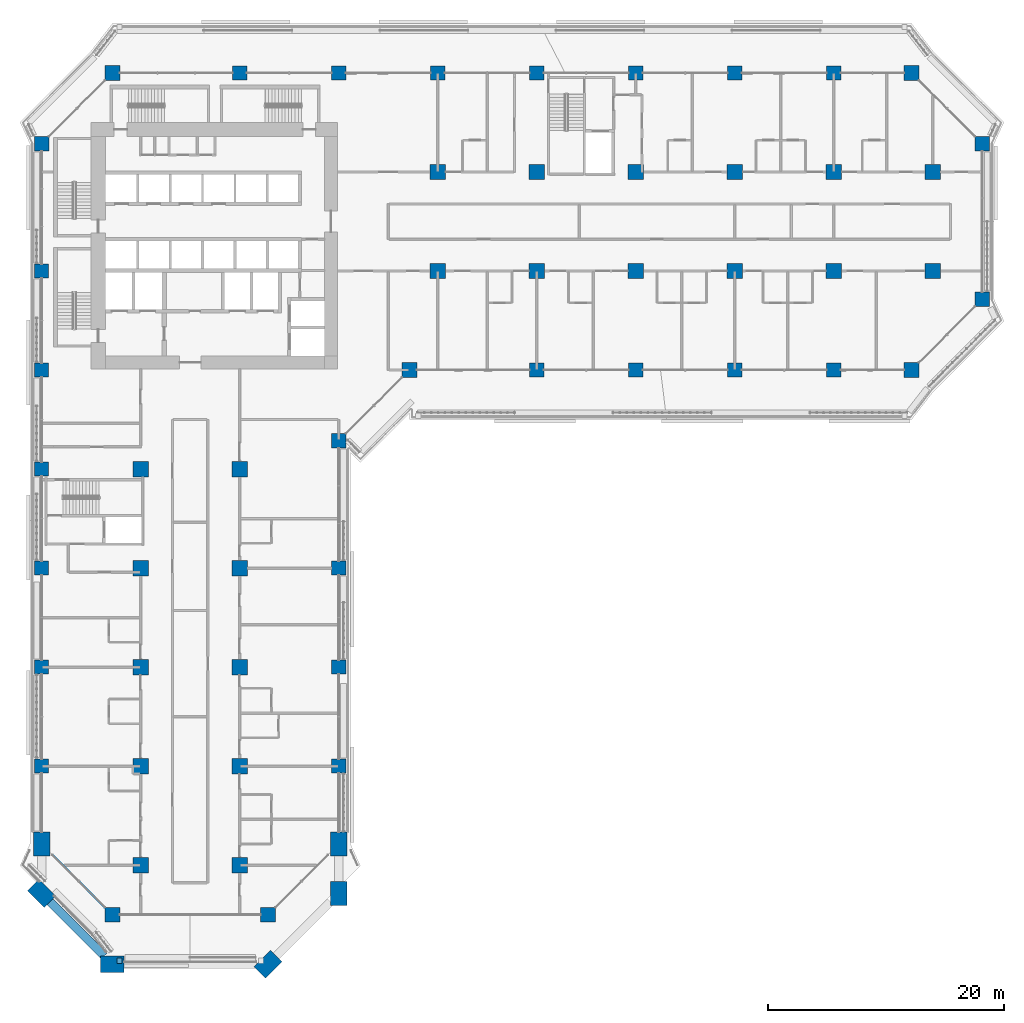
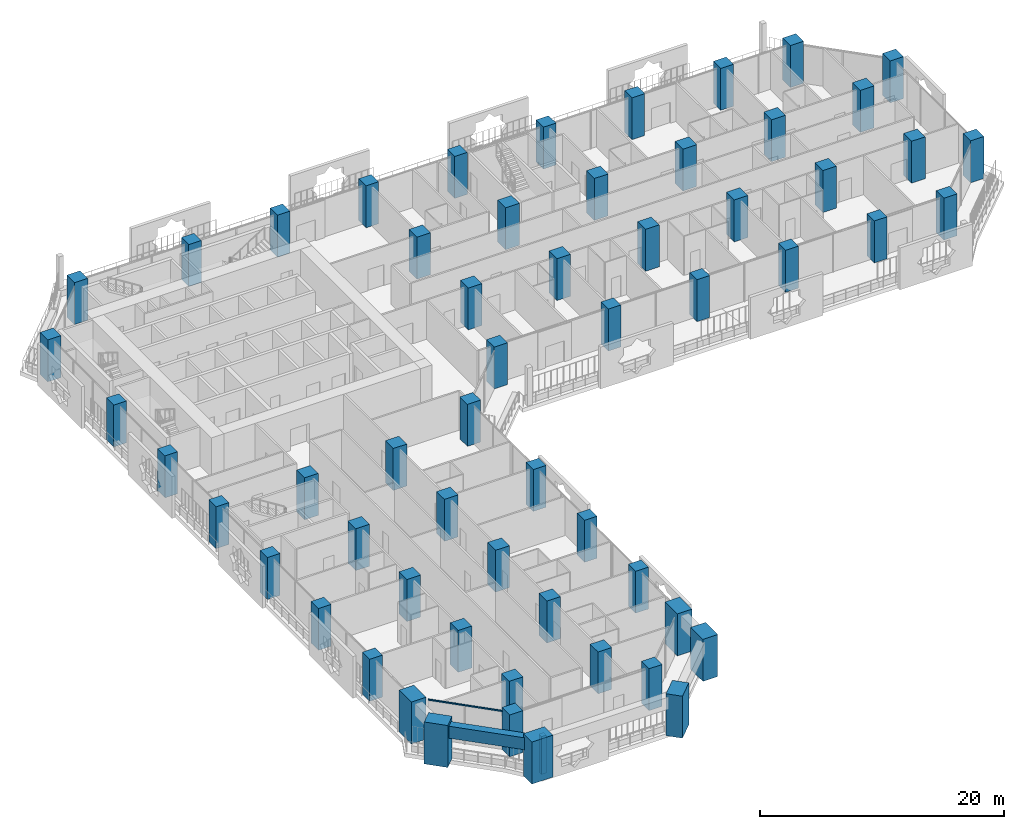
# One storey, part 1 of 28: 58 columns, 2 members, 1 beam, 2 elements without a shape of their own.
"""IFC4 building model written with IfcOpenShell, lengths in metres."""

from ifc_helpers import new_model, si_unit, direction, frame, origin, origin_2d, place, context, subcontext, project, spatial, rectangle, extrude, material, layer, layer_set, material_profile, profile_set, type_object, element, aggregate, save


model = new_model("IFC4")

# Units and contexts
model_context = context("Model", 3, precision=1e-05, world=origin(), true_north=direction((0.0, 1.0)))
body_context = subcontext(model_context, "Body", "Model", "MODEL_VIEW")
ifc_project = project(units=[si_unit("LENGTHUNIT", "METRE"), si_unit("AREAUNIT", "SQUARE_METRE"), si_unit("VOLUMEUNIT", "CUBIC_METRE"), si_unit("PLANEANGLEUNIT", "RADIAN"), si_unit("MASSUNIT", "GRAM", prefix="KILO")], contexts=[model_context])

# Site, building, storey
site_placement = place(None, origin())
site = spatial("IfcSite", under=ifc_project, at=site_placement, CompositionType="ELEMENT")
building_placement = place(site_placement, origin())
building = spatial("IfcBuilding", under=site, at=building_placement, Name="Kawkab Arch Medical Tower", CompositionType="ELEMENT")
storey_placement = place(building_placement, frame((0.0, 0.0, 56.0)))
storey = spatial("IfcBuildingStorey", under=building, at=storey_placement, Name="L12", CompositionType="ELEMENT", Elevation=56.0)

# Columns
ifc_material_1 = material(Name="Concrete C60/75", Category="concrete")
ifc_material_profile_1 = material_profile(ifc_material_1, rectangle(XDim=1.199951171875, YDim=1.199951171875, at=origin_2d()), Name="RC 1200x1200")
ifc_profile_set_1 = profile_set([ifc_material_profile_1], Name="Concrete C60/75")
column_type_1 = type_object("IfcColumnType", Name="RC 1200x1200 column C60/75", PredefinedType="COLUMN", material=ifc_profile_set_1)
for number, where, z_axis, x_axis, name in (
    (1, (16.800048828125, 0.0, 0.0), (0.0, 0.0, 1.0), (1.0, 0.0, 0.0), "Column RC 1200x1200"),
    (2, (25.199951171875, 0.0, 0.0), (0.0, 0.0, 1.0), (1.0, 0.0, 0.0), "Column RC 1200x1200"),
    (3, (33.60009765625, 0.0, 0.0), (0.0, 0.0, 1.0), (1.0, 0.0, 0.0), "Column RC 1200x1200"),
    (4, (42.0, 0.0, 0.0), (0.0, 0.0, 1.0), (1.0, 0.0, 0.0), "Column RC 1200x1200"),
    (5, (50.39990234375, 0.0, 0.0), (0.0, 0.0, 1.0), (1.0, 0.0, 0.0), "Column RC 1200x1200"),
    (6, (58.800048828125, 0.0, 0.0), (0.0, 0.0, 1.0), (1.0, 0.0, 0.0), "Column RC 1200x1200"),
    (7, (67.199951171875, 0.0, 0.0), (0.0, 0.0, 1.0), (1.0, 0.0, 0.0), "Column RC 1200x1200"),
    (8, (0.0, -16.800048828125, 0.0), (0.0, 0.0, 1.0), (1.0, 0.0, 0.0), "Column RC 1200x1200"),
    (9, (0.0, -25.199951171875, 0.0), (0.0, 0.0, 1.0), (1.0, 0.0, 0.0), "Column RC 1200x1200"),
    (10, (42.0, -25.199951171875, 0.0), (0.0, 0.0, 1.0), (1.0, 0.0, 0.0), "Column RC 1200x1200"),
    (11, (50.39990234375, -25.199951171875, 0.0), (0.0, 0.0, 1.0), (1.0, 0.0, 0.0), "Column RC 1200x1200"),
    (12, (58.800048828125, -25.199951171875, 0.0), (0.0, 0.0, 1.0), (1.0, 0.0, 0.0), "Column RC 1200x1200"),
    (13, (67.199951171875, -25.199951171875, 0.0), (0.0, 0.0, 1.0), (1.0, 0.0, 0.0), "Column RC 1200x1200"),
    (14, (0.0, -33.60009765625, 0.0), (0.0, 0.0, 1.0), (1.0, 0.0, 0.0), "Column RC 1200x1200"),
    (15, (0.0, -42.0, 0.0), (0.0, 0.0, 1.0), (1.0, 0.0, 0.0), "Column RC 1200x1200"),
    (16, (25.199951171875, -42.0, 0.0), (0.0, 0.0, 1.0), (1.0, 0.0, 0.0), "Column RC 1200x1200"),
    (17, (0.0, -50.39990234375, 0.0), (0.0, 0.0, 1.0), (1.0, 0.0, 0.0), "Column RC 1200x1200"),
    (18, (25.199951171875, -50.39990234375, 0.0), (0.0, 0.0, 1.0), (1.0, 0.0, 0.0), "Column RC 1200x1200"),
    (19, (0.0, -58.800048828125, 0.0), (0.0, 0.0, 1.0), (1.0, 0.0, 0.0), "Column RC 1200x1200"),
    (20, (25.199951171875, -58.800048828125, 0.0), (0.0, 0.0, 1.0), (1.0, 0.0, 0.0), "Column RC 1200x1200"),
):
    element("IfcColumn", number, at=place(storey_placement, frame(where, z_axis=z_axis, x_axis=x_axis)), inside=storey, type_object=column_type_1, Name=name, PredefinedType="COLUMN", context=body_context, shape_type="SweptSolid", body=[
        extrude(rectangle(XDim=1.199951171875, YDim=1.199951171875, at=origin_2d()), origin(), (0.0, 0.0, 1.0), 4.199951171875),
    ])
ifc_material_2 = material(Name="Concrete C60/75", Category="concrete")
ifc_material_profile_2 = material_profile(ifc_material_2, rectangle(XDim=1.25, YDim=1.25, at=origin_2d()), Name="RC 1250x1250")
ifc_profile_set_2 = profile_set([ifc_material_profile_2], Name="Concrete C60/75")
column_type_2 = type_object("IfcColumnType", Name="RC 1250x1250 column C60/75", PredefinedType="COLUMN", material=ifc_profile_set_2)
for number, where, z_axis, x_axis, name in (
    (21, (6.0, 0.0, 0.0), (0.0, 0.0, 1.0), (1.0, 0.0, 0.0), "Column RC 1250x1250"),
    (22, (73.800048828125, 0.0, 0.0), (0.0, 0.0, 1.0), (1.0, 0.0, 0.0), "Column RC 1250x1250"),
    (23, (0.0, -6.0, 0.0), (0.0, 0.0, 1.0), (1.0, 0.0, 0.0), "Column RC 1250x1250"),
    (24, (79.800048828125, -6.0, 0.0), (0.0, 0.0, 1.0), (1.0, 0.0, 0.0), "Column RC 1250x1250"),
    (25, (79.800048828125, -19.199951171875, 0.0), (0.0, 0.0, 1.0), (1.0, 0.0, 0.0), "Column RC 1250x1250"),
    (26, (31.199951171875, -25.199951171875, 0.0), (0.0, 0.0, 1.0), (1.0, 0.0, 0.0), "Column RC 1250x1250"),
    (27, (73.800048828125, -25.199951171875, 0.0), (0.0, 0.0, 1.0), (1.0, 0.0, 0.0), "Column RC 1250x1250"),
    (28, (25.199951171875, -31.199951171875, 0.0), (0.0, 0.0, 1.0), (1.0, 0.0, 0.0), "Column RC 1250x1250"),
    (29, (6.0, -71.39990234375, 0.0), (0.0, 0.0, 1.0), (1.0, 0.0, 0.0), "Column RC 1250x1250"),
    (30, (19.199951171875, -71.39990234375, 0.0), (0.0, 0.0, 1.0), (1.0, 0.0, 0.0), "Column RC 1250x1250"),
):
    element("IfcColumn", number, at=place(storey_placement, frame(where, z_axis=z_axis, x_axis=x_axis)), inside=storey, type_object=column_type_2, Name=name, PredefinedType="COLUMN", context=body_context, shape_type="SweptSolid", body=[
        extrude(rectangle(XDim=1.25, YDim=1.25, at=origin_2d()), origin(), (0.0, 0.0, 1.0), 4.199951171875),
    ])
ifc_material_3 = material(Name="Concrete C60/75", Category="concrete")
ifc_material_profile_3 = material_profile(ifc_material_3, rectangle(XDim=1.300048828125, YDim=1.300048828125, at=origin_2d()), Name="RC 1300x1300")
ifc_profile_set_3 = profile_set([ifc_material_profile_3], Name="Concrete C60/75")
column_type_3 = type_object("IfcColumnType", Name="RC 1300x1300 column C60/75", PredefinedType="COLUMN", material=ifc_profile_set_3)
for number, where, z_axis, x_axis, name in (
    (31, (33.60009765625, -8.39990234375, 0.0), (0.0, 0.0, 1.0), (1.0, 0.0, 0.0), "Column RC 1300x1300"),
    (32, (42.0, -8.39990234375, 0.0), (0.0, 0.0, 1.0), (1.0, 0.0, 0.0), "Column RC 1300x1300"),
    (33, (50.39990234375, -8.39990234375, 0.0), (0.0, 0.0, 1.0), (1.0, 0.0, 0.0), "Column RC 1300x1300"),
    (34, (58.800048828125, -8.39990234375, 0.0), (0.0, 0.0, 1.0), (1.0, 0.0, 0.0), "Column RC 1300x1300"),
    (35, (67.199951171875, -8.39990234375, 0.0), (0.0, 0.0, 1.0), (1.0, 0.0, 0.0), "Column RC 1300x1300"),
    (36, (75.60009765625, -8.39990234375, 0.0), (0.0, 0.0, 1.0), (1.0, 0.0, 0.0), "Column RC 1300x1300"),
    (37, (33.60009765625, -16.800048828125, 0.0), (0.0, 0.0, 1.0), (1.0, 0.0, 0.0), "Column RC 1300x1300"),
    (38, (42.0, -16.800048828125, 0.0), (0.0, 0.0, 1.0), (1.0, 0.0, 0.0), "Column RC 1300x1300"),
    (39, (50.39990234375, -16.800048828125, 0.0), (0.0, 0.0, 1.0), (1.0, 0.0, 0.0), "Column RC 1300x1300"),
    (40, (58.800048828125, -16.800048828125, 0.0), (0.0, 0.0, 1.0), (1.0, 0.0, 0.0), "Column RC 1300x1300"),
    (41, (67.199951171875, -16.800048828125, 0.0), (0.0, 0.0, 1.0), (1.0, 0.0, 0.0), "Column RC 1300x1300"),
    (42, (75.60009765625, -16.800048828125, 0.0), (0.0, 0.0, 1.0), (1.0, 0.0, 0.0), "Column RC 1300x1300"),
    (43, (8.39990234375, -33.60009765625, 0.0), (0.0, 0.0, 1.0), (1.0, 0.0, 0.0), "Column RC 1300x1300"),
    (44, (16.800048828125, -33.60009765625, 0.0), (0.0, 0.0, 1.0), (1.0, 0.0, 0.0), "Column RC 1300x1300"),
    (45, (8.39990234375, -42.0, 0.0), (0.0, 0.0, 1.0), (1.0, 0.0, 0.0), "Column RC 1300x1300"),
    (46, (16.800048828125, -42.0, 0.0), (0.0, 0.0, 1.0), (1.0, 0.0, 0.0), "Column RC 1300x1300"),
    (47, (8.39990234375, -50.39990234375, 0.0), (0.0, 0.0, 1.0), (1.0, 0.0, 0.0), "Column RC 1300x1300"),
    (48, (16.800048828125, -50.39990234375, 0.0), (0.0, 0.0, 1.0), (1.0, 0.0, 0.0), "Column RC 1300x1300"),
    (49, (8.39990234375, -58.800048828125, 0.0), (0.0, 0.0, 1.0), (1.0, 0.0, 0.0), "Column RC 1300x1300"),
    (50, (16.800048828125, -58.800048828125, 0.0), (0.0, 0.0, 1.0), (1.0, 0.0, 0.0), "Column RC 1300x1300"),
    (51, (8.39990234375, -67.199951171875, 0.0), (0.0, 0.0, 1.0), (1.0, 0.0, 0.0), "Column RC 1300x1300"),
    (52, (16.800048828125, -67.199951171875, 0.0), (0.0, 0.0, 1.0), (1.0, 0.0, 0.0), "Column RC 1300x1300"),
):
    element("IfcColumn", number, at=place(storey_placement, frame(where, z_axis=z_axis, x_axis=x_axis)), inside=storey, type_object=column_type_3, Name=name, PredefinedType="COLUMN", context=body_context, shape_type="SweptSolid", body=[
        extrude(rectangle(XDim=1.300048828125, YDim=1.300048828125, at=origin_2d()), origin(), (0.0, 0.0, 1.0), 4.199951171875),
    ])
ifc_material_4 = material(Name="Concrete C60/75", Category="concrete")
ifc_material_profile_4 = material_profile(ifc_material_4, rectangle(XDim=2.0, YDim=1.39990234375, at=origin_2d()), Name="RC 2000x1400")
ifc_profile_set_4 = profile_set([ifc_material_profile_4], Name="Concrete C60/75")
column_type_4 = type_object("IfcColumnType", Name="RC 2000x1400 column C60/75", PredefinedType="COLUMN", material=ifc_profile_set_4)
for number, where, z_axis, x_axis, name in (
    (53, (0.0, -65.39990234375, 0.0), (0.0, 0.0, 1.0), (0.0, 1.0, 0.0), "Column RC 2000x1400"),
    (54, (25.199951171875, -65.39990234375, 0.0), (0.0, 0.0, 1.0), (0.0, -1.0, 0.0), "Column RC 2000x1400"),
    (55, (25.199951171875, -69.60009765625, 0.0), (0.0, 0.0, 1.0), (0.0, -1.0, 0.0), "Column RC 2000x1400"),
    (56, (19.199951171875, -75.60009765625, 0.0), (0.0, 0.0, 1.0), (-0.707106781187, -0.707106781187, 0.0), "Column RC 2000x1400"),
    (57, (6.0, -75.60009765625, 0.0), (0.0, 0.0, 1.0), (-1.0, 0.0, 0.0), "Column RC 2000x1400"),
    (58, (0.0, -69.60009765625, 0.0), (0.0, 0.0, 1.0), (-0.707106781187, 0.707106781187, 0.0), "Column RC 2000x1400"),
):
    element("IfcColumn", number, at=place(storey_placement, frame(where, z_axis=z_axis, x_axis=x_axis)), inside=storey, type_object=column_type_4, Name=name, PredefinedType="COLUMN", context=body_context, shape_type="SweptSolid", body=[
        extrude(rectangle(XDim=2.0, YDim=1.39990234375, at=origin_2d()), origin(), (0.0, 0.0, 1.0), 4.199951171875),
    ])

# Curtain wall, member
ifc_material_5 = material(Name="Bronze anodised aluminium curtain wall frame", Category="aluminium")
ifc_layer_1 = layer(ifc_material_5, 0.159912109375)
ifc_layer_set_1 = layer_set([ifc_layer_1], Name="Bronze anodised aluminium curtain wall frame")
curtain_wall_type_1 = type_object("IfcCurtainWallType", Name="CW2 chamfer curtain wall", PredefinedType="NOTDEFINED", material=ifc_layer_set_1)
placement = place(storey_placement, origin())
curtain_wall_1 = element("IfcCurtainWall", 59, at=placement, inside=storey, type_object=curtain_wall_type_1, Name="CW2 Chamfer curtain wall R02", PredefinedType="NOTDEFINED")
ifc_material_6 = material(Name="Bronze anodised aluminium curtain wall frame", Category="aluminium")
ifc_material_profile_5 = material_profile(ifc_material_6, rectangle(XDim=0.06005859375, YDim=0.139892578125, at=origin_2d()), Name="AL 60x140")
ifc_profile_set_5 = profile_set([ifc_material_profile_5], Name="Bronze anodised aluminium curtain wall frame")
member_type_1 = type_object("IfcMemberType", Name="CW2 transom 140 x 60", PredefinedType="USERDEFINED", material=ifc_profile_set_5)
member_1_placement = place(storey_placement, frame((0.930419921875, -66.330322265625, 3.830078125), z_axis=(0.707106781187, -0.707106781187, 0.0), x_axis=(0.707106781187, 0.707106781187, 0.0)))
member_1 = element("IfcMember", 60, at=member_1_placement, type_object=member_type_1, Name="CW2 transom 1", ObjectType="TRANSOM", PredefinedType="USERDEFINED", context=body_context, shape_type="SweptSolid", body=[
    extrude(rectangle(XDim=0.06005859375, YDim=0.139892578125, at=origin_2d()), origin(), (0.0, 0.0, 1.0), 6.28564453125),
])
aggregate(curtain_wall_1, [member_1])

ifc_material_7 = material(Name="Bronze anodised aluminium climber frame, planted", Category="aluminium")
ifc_layer_2 = layer(ifc_material_7, 0.449951171875)
ifc_layer_set_2 = layer_set([ifc_layer_2], Name="Bronze anodised aluminium climber frame, planted")
curtain_wall_type_2 = type_object("IfcCurtainWallType", Name="Planted climber frame", PredefinedType="NOTDEFINED", material=ifc_layer_set_2)
curtain_wall_2 = element("IfcCurtainWall", 61, at=placement, inside=storey, type_object=curtain_wall_type_2, Name="Planted climber frame L12", PredefinedType="NOTDEFINED")
ifc_material_8 = material(Name="Bronze anodised aluminium climber frame, planted", Category="aluminium")
ifc_material_profile_6 = material_profile(ifc_material_8, rectangle(XDim=0.449951171875, YDim=0.449951171875, at=origin_2d()), Name="Post 450x450")
ifc_profile_set_6 = profile_set([ifc_material_profile_6], Name="Bronze anodised aluminium climber frame, planted")
member_type_2 = type_object("IfcMemberType", Name="Planted climber post 450 x 450", PredefinedType="MULLION", material=ifc_profile_set_6)
member_2_placement = place(storey_placement, frame((6.596923828125, -75.300048828125, 0.0), z_axis=(0.0, 0.0, 1.0), x_axis=(1.0, 0.0, 0.0)))
member_2 = element("IfcMember", 62, at=member_2_placement, type_object=member_type_2, Name="Planted climber post L12.LOG-01-01.2", PredefinedType="MULLION", context=body_context, shape_type="SweptSolid", body=[
    extrude(rectangle(XDim=0.449951171875, YDim=0.449951171875, at=origin_2d()), origin(), (0.0, 0.0, 1.0), 3.800048828125),
])
aggregate(curtain_wall_2, [member_2])

# Beam
ifc_material_9 = material(Name="Concrete C60/75", Category="concrete")
ifc_material_profile_7 = material_profile(ifc_material_9, rectangle(XDim=0.699951171875, YDim=1.199951171875, at=origin_2d()), Name="RC 700x1200")
ifc_profile_set_7 = profile_set([ifc_material_profile_7], Name="Concrete C60/75")
beam_type = type_object("IfcBeamType", Name="RC 700x1200 beam C60/75", PredefinedType="BEAM", material=ifc_profile_set_7)
beam_placement = place(storey_placement, frame((5.300048828125, -74.89990234375, 3.300048828125), z_axis=(-0.707125574473, 0.707087987401, 0.0), x_axis=(-0.707087987401, -0.707125574473, 0.0)))
element("IfcBeam", 63, at=beam_placement, inside=storey, type_object=beam_type, Name="Terrace frame beam TF-L11-1-L13-04", PredefinedType="BEAM", context=body_context, shape_type="SweptSolid", body=[
    extrude(rectangle(XDim=0.699951171875, YDim=1.199951171875, at=origin_2d()), origin(), (0.0, 0.0, 1.0), 6.495361328125),
])

save(model, "model.ifc")
